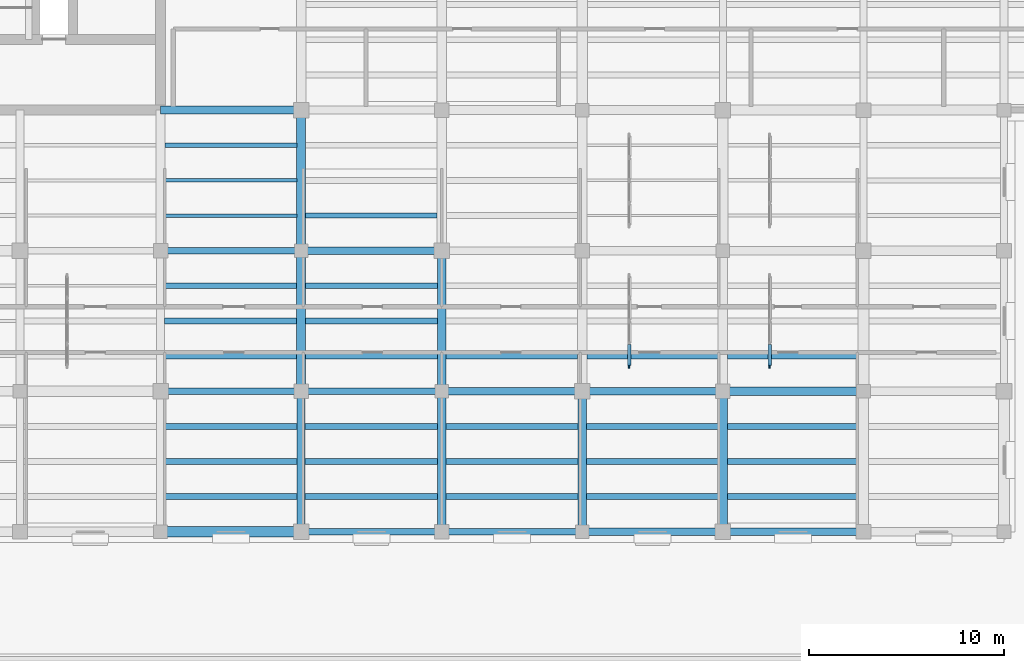
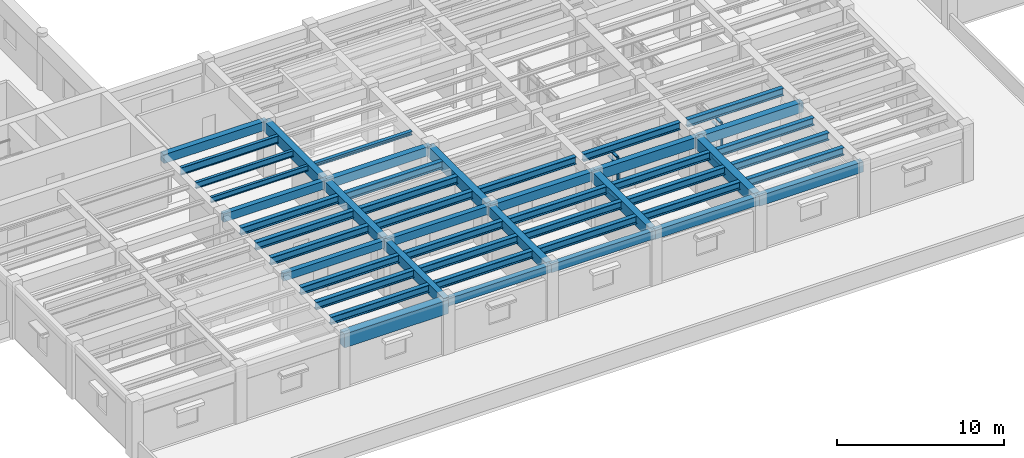
# One storey, part 9 of 76: 48 beams, 10 members, 2 elements without a shape of their own.
"""IFC4 building model written with IfcOpenShell, lengths in metres."""

from ifc_helpers import new_model, si_unit, direction, frame, origin, origin_2d, place, context, subcontext, project, spatial, rectangle, i_section, extrude, material, material_profile, profile_set, type_object, element, aggregate, save


model = new_model("IFC4")

# Units and contexts
model_context = context("Model", 3, precision=1e-05, world=origin(), true_north=direction((0.0, 1.0)))
body_context = subcontext(model_context, "Body", "Model", "MODEL_VIEW")
ifc_project = project(units=[si_unit("LENGTHUNIT", "METRE"), si_unit("AREAUNIT", "SQUARE_METRE"), si_unit("VOLUMEUNIT", "CUBIC_METRE"), si_unit("PLANEANGLEUNIT", "RADIAN"), si_unit("MASSUNIT", "GRAM", prefix="KILO")], contexts=[model_context])

# Site, building, storey
site_placement = place(None, origin())
site = spatial("IfcSite", under=ifc_project, at=site_placement, CompositionType="ELEMENT")
building_placement = place(site_placement, origin())
building = spatial("IfcBuilding", under=site, at=building_placement, Name="Mithqara Police Headquarters", CompositionType="ELEMENT")
storey_placement = place(building_placement, frame((0.0, 0.0, 5.39990234375)))
storey = spatial("IfcBuildingStorey", under=building, at=storey_placement, Name="L01", CompositionType="ELEMENT", Elevation=5.39990234375)

# Beams
ifc_material_1 = material(Name="Steel S355JR", Category="steel")
ifc_material_profile_1 = material_profile(ifc_material_1, i_section(OverallWidth=0.300048828125, OverallDepth=0.550048828125, WebThickness=0.014892578125, FlangeThickness=0.029052734375, FilletRadius=0.027099609375, at=origin_2d()), Name="HEB 550")
ifc_profile_set_1 = profile_set([ifc_material_profile_1], Name="Steel S355JR")
beam_type_1 = type_object("IfcBeamType", Name="BEAM HEB550", PredefinedType="BEAM", material=ifc_profile_set_1)
for number, where, z_axis, x_axis, name in (
    (1, (94.39990234375, 8.39990234375, 3.64501953125), (1.0, 0.0, 0.0), (0.0, 1.0, 0.0), "L01 Composite Steel Joist 14-15/B.1"),
    (2, (94.39990234375, 10.199951171875, 3.64501953125), (1.0, 0.0, 0.0), (0.0, 1.0, 0.0), "L01 Composite Steel Joist 14-15/B.2"),
    (3, (94.39990234375, 12.0, 3.64501953125), (1.0, 0.0, 0.0), (0.0, 1.0, 0.0), "L01 Composite Steel Joist 14-15/B.3"),
):
    element("IfcBeam", number, at=place(storey_placement, frame(where, z_axis=z_axis, x_axis=x_axis)), inside=storey, type_object=beam_type_1, Name=name, PredefinedType="BEAM", context=body_context, shape_type="SweptSolid", body=[
        extrude(i_section(OverallWidth=0.300048828125, OverallDepth=0.550048828125, WebThickness=0.014892578125, FlangeThickness=0.029052734375, FilletRadius=0.027099609375, at=origin_2d()), origin(), (0.0, 0.0, 1.0), 6.800048828125),
    ])
for number, where, z_axis, x_axis, name in (
    (4, (94.39990234375, 15.60009765625, 3.64501953125), (1.0, 0.0, 0.0), (0.0, 1.0, 0.0), "L01 Composite Steel Joist 14-15/C.1"),
    (5, (94.39990234375, 17.39990234375, 3.64501953125), (1.0, 0.0, 0.0), (0.0, 1.0, 0.0), "L01 Composite Steel Joist 14-15/C.2"),
    (6, (94.39990234375, 19.199951171875, 3.64501953125), (1.0, 0.0, 0.0), (0.0, 1.0, 0.0), "L01 Composite Steel Joist 14-15/C.3"),
):
    element("IfcBeam", number, at=place(storey_placement, frame(where, z_axis=z_axis, x_axis=x_axis)), inside=storey, type_object=beam_type_1, Name=name, PredefinedType="BEAM", context=body_context, shape_type="SweptSolid", body=[
        extrude(i_section(OverallWidth=0.300048828125, OverallDepth=0.550048828125, WebThickness=0.014892578125, FlangeThickness=0.029052734375, FilletRadius=0.027099609375, at=origin_2d()), origin(), (0.0, 0.0, 1.0), 6.775146484375),
    ])
for number, where, z_axis, x_axis, name in (
    (7, (101.60009765625, 8.39990234375, 3.64501953125), (1.0, 0.0, 0.0), (0.0, 1.0, 0.0), "L01 Composite Steel Joist 15-16/B.1"),
    (8, (101.60009765625, 10.199951171875, 3.64501953125), (1.0, 0.0, 0.0), (0.0, 1.0, 0.0), "L01 Composite Steel Joist 15-16/B.2"),
    (9, (101.60009765625, 12.0, 3.64501953125), (1.0, 0.0, 0.0), (0.0, 1.0, 0.0), "L01 Composite Steel Joist 15-16/B.3"),
):
    element("IfcBeam", number, at=place(storey_placement, frame(where, z_axis=z_axis, x_axis=x_axis)), inside=storey, type_object=beam_type_1, Name=name, PredefinedType="BEAM", context=body_context, shape_type="SweptSolid", body=[
        extrude(i_section(OverallWidth=0.300048828125, OverallDepth=0.550048828125, WebThickness=0.014892578125, FlangeThickness=0.029052734375, FilletRadius=0.027099609375, at=origin_2d()), origin(), (0.0, 0.0, 1.0), 6.77490234375),
    ])
for number, where, z_axis, x_axis, name in (
    (10, (101.625, 15.60009765625, 3.64501953125), (1.0, 0.0, 0.0), (0.0, 1.0, 0.0), "L01 Composite Steel Joist 15-16/C.1"),
    (11, (101.625, 17.39990234375, 3.64501953125), (1.0, 0.0, 0.0), (0.0, 1.0, 0.0), "L01 Composite Steel Joist 15-16/C.2"),
    (12, (101.625, 19.199951171875, 3.64501953125), (1.0, 0.0, 0.0), (0.0, 1.0, 0.0), "L01 Composite Steel Joist 15-16/C.3"),
    (13, (108.824951171875, 8.39990234375, 3.64501953125), (1.0, 0.0, 0.0), (0.0, 1.0, 0.0), "L01 Composite Steel Joist 16-17/B.1"),
    (14, (108.824951171875, 10.199951171875, 3.64501953125), (1.0, 0.0, 0.0), (0.0, 1.0, 0.0), "L01 Composite Steel Joist 16-17/B.2"),
    (15, (108.824951171875, 12.0, 3.64501953125), (1.0, 0.0, 0.0), (0.0, 1.0, 0.0), "L01 Composite Steel Joist 16-17/B.3"),
):
    element("IfcBeam", number, at=place(storey_placement, frame(where, z_axis=z_axis, x_axis=x_axis)), inside=storey, type_object=beam_type_1, Name=name, PredefinedType="BEAM", context=body_context, shape_type="SweptSolid", body=[
        extrude(i_section(OverallWidth=0.300048828125, OverallDepth=0.550048828125, WebThickness=0.014892578125, FlangeThickness=0.029052734375, FilletRadius=0.027099609375, at=origin_2d()), origin(), (0.0, 0.0, 1.0), 6.75),
    ])
for number, where, z_axis, x_axis, name in (
    (16, (108.824951171875, 15.60009765625, 3.64501953125), (1.0, 0.0, 0.0), (0.0, 1.0, 0.0), "L01 Composite Steel Joist 16-17/C.1"),
    (17, (116.02490234375, 8.39990234375, 3.64501953125), (1.0, 0.0, 0.0), (0.0, 1.0, 0.0), "L01 Composite Steel Joist 17-18/B.1"),
    (18, (116.02490234375, 10.199951171875, 3.64501953125), (1.0, 0.0, 0.0), (0.0, 1.0, 0.0), "L01 Composite Steel Joist 17-18/B.2"),
    (19, (116.02490234375, 12.0, 3.64501953125), (1.0, 0.0, 0.0), (0.0, 1.0, 0.0), "L01 Composite Steel Joist 17-18/B.3"),
):
    element("IfcBeam", number, at=place(storey_placement, frame(where, z_axis=z_axis, x_axis=x_axis)), inside=storey, type_object=beam_type_1, Name=name, PredefinedType="BEAM", context=body_context, shape_type="SweptSolid", body=[
        extrude(i_section(OverallWidth=0.300048828125, OverallDepth=0.550048828125, WebThickness=0.014892578125, FlangeThickness=0.029052734375, FilletRadius=0.027099609375, at=origin_2d()), origin(), (0.0, 0.0, 1.0), 6.72509765625),
    ])
for number, where, z_axis, x_axis, name in (
    (20, (116.050048828125, 15.60009765625, 3.64501953125), (1.0, 0.0, 0.0), (0.0, 1.0, 0.0), "L01 Composite Steel Joist 17-18/C.1"),
    (21, (123.25, 8.39990234375, 3.64501953125), (1.0, 0.0, 0.0), (0.0, 1.0, 0.0), "L01 Composite Steel Joist 18-19/B.1"),
    (22, (123.25, 10.199951171875, 3.64501953125), (1.0, 0.0, 0.0), (0.0, 1.0, 0.0), "L01 Composite Steel Joist 18-19/B.2"),
    (23, (123.25, 12.0, 3.64501953125), (1.0, 0.0, 0.0), (0.0, 1.0, 0.0), "L01 Composite Steel Joist 18-19/B.3"),
):
    element("IfcBeam", number, at=place(storey_placement, frame(where, z_axis=z_axis, x_axis=x_axis)), inside=storey, type_object=beam_type_1, Name=name, PredefinedType="BEAM", context=body_context, shape_type="SweptSolid", body=[
        extrude(i_section(OverallWidth=0.300048828125, OverallDepth=0.550048828125, WebThickness=0.014892578125, FlangeThickness=0.029052734375, FilletRadius=0.027099609375, at=origin_2d()), origin(), (0.0, 0.0, 1.0), 6.699951171875),
    ])
beam_1_placement = place(storey_placement, frame((123.25, 15.60009765625, 3.64501953125), z_axis=(1.0, 0.0, 0.0), x_axis=(0.0, 1.0, 0.0)))
element("IfcBeam", 24, at=beam_1_placement, inside=storey, type_object=beam_type_1, Name="L01 Composite Steel Joist 18-19/C.1", PredefinedType="BEAM", context=body_context, shape_type="SweptSolid", body=[
    extrude(i_section(OverallWidth=0.300048828125, OverallDepth=0.550048828125, WebThickness=0.014892578125, FlangeThickness=0.029052734375, FilletRadius=0.027099609375, at=origin_2d()), origin(), (0.0, 0.0, 1.0), 6.675048828125),
])
ifc_material_2 = material(Name="Concrete C40/50", Category="concrete")
ifc_material_profile_2 = material_profile(ifc_material_2, rectangle(XDim=0.35009765625, YDim=0.550048828125, at=origin_2d()), Name="RC 350x550")
ifc_profile_set_2 = profile_set([ifc_material_profile_2], Name="Concrete C40/50")
beam_type_2 = type_object("IfcBeamType", Name="BEAM RC350X550", PredefinedType="BEAM", material=ifc_profile_set_2)
beam_2_placement = place(storey_placement, frame((94.199951171875, 13.800048828125, 3.64501953125), z_axis=(1.0, 0.0, 0.0), x_axis=(0.0, 1.0, 0.0)))
element("IfcBeam", 25, at=beam_2_placement, inside=storey, type_object=beam_type_2, Name="L01 Girder 14-15/C", PredefinedType="BEAM", context=body_context, shape_type="SweptSolid", body=[
    extrude(rectangle(XDim=0.35009765625, YDim=0.550048828125, at=origin_2d()), origin(), (0.0, 0.0, 1.0), 7.199951171875),
])
beam_3_placement = place(storey_placement, frame((101.39990234375, 6.60009765625, 3.64501953125), z_axis=(1.0, 0.0, 0.0), x_axis=(0.0, 1.0, 0.0)))
element("IfcBeam", 26, at=beam_3_placement, inside=storey, type_object=beam_type_2, Name="L01 Girder 15-16/B", PredefinedType="BEAM", context=body_context, shape_type="SweptSolid", body=[
    extrude(rectangle(XDim=0.35009765625, YDim=0.550048828125, at=origin_2d()), origin(), (0.0, 0.0, 1.0), 7.2001953125),
])
ifc_material_profile_3 = material_profile(ifc_material_2, rectangle(XDim=0.35009765625, YDim=0.60009765625, at=origin_2d()), Name="RC 350x600")
ifc_profile_set_3 = profile_set([ifc_material_profile_3], Name="Concrete C40/50")
beam_type_3 = type_object("IfcBeamType", Name="BEAM RC350X600", PredefinedType="BEAM", material=ifc_profile_set_3)
beam_4_placement = place(storey_placement, frame((94.199951171875, 21.0, 3.6201171875), z_axis=(1.0, 0.0, 0.0), x_axis=(0.0, 1.0, 0.0)))
element("IfcBeam", 27, at=beam_4_placement, inside=storey, type_object=beam_type_3, Name="L01 Girder 14-15/D", PredefinedType="BEAM", context=body_context, shape_type="SweptSolid", body=[
    extrude(rectangle(XDim=0.35009765625, YDim=0.60009765625, at=origin_2d()), origin(), (0.0, 0.0, 1.0), 7.199951171875),
])
beam_5_placement = place(storey_placement, frame((101.39990234375, 13.800048828125, 3.6201171875), z_axis=(1.0, 0.0, 0.0), x_axis=(0.0, 1.0, 0.0)))
element("IfcBeam", 28, at=beam_5_placement, inside=storey, type_object=beam_type_3, Name="L01 Girder 15-16/C", PredefinedType="BEAM", context=body_context, shape_type="SweptSolid", body=[
    extrude(rectangle(XDim=0.35009765625, YDim=0.60009765625, at=origin_2d()), origin(), (0.0, 0.0, 1.0), 7.2001953125),
])
beam_6_placement = place(storey_placement, frame((108.60009765625, 6.60009765625, 3.6201171875), z_axis=(1.0, 0.0, 0.0), x_axis=(0.0, 1.0, 0.0)))
element("IfcBeam", 29, at=beam_6_placement, inside=storey, type_object=beam_type_3, Name="L01 Girder 16-17/B", PredefinedType="BEAM", context=body_context, shape_type="SweptSolid", body=[
    extrude(rectangle(XDim=0.35009765625, YDim=0.60009765625, at=origin_2d()), origin(), (0.0, 0.0, 1.0), 7.199951171875),
])
ifc_material_profile_4 = material_profile(ifc_material_2, rectangle(XDim=0.39990234375, YDim=0.64990234375, at=origin_2d()), Name="RC 400x650")
ifc_profile_set_4 = profile_set([ifc_material_profile_4], Name="Concrete C40/50")
beam_type_4 = type_object("IfcBeamType", Name="BEAM RC400X650", PredefinedType="BEAM", material=ifc_profile_set_4)
beam_7_placement = place(storey_placement, frame((94.199951171875, 28.199951171875, 3.59521484375), z_axis=(1.0, 0.0, 0.0), x_axis=(0.0, 1.0, 0.0)))
element("IfcBeam", 30, at=beam_7_placement, inside=storey, type_object=beam_type_4, Name="L01 Girder 14-15/E", PredefinedType="BEAM", context=body_context, shape_type="SweptSolid", body=[
    extrude(rectangle(XDim=0.39990234375, YDim=0.64990234375, at=origin_2d()), origin(), (0.0, 0.0, 1.0), 7.199951171875),
])
beam_8_placement = place(storey_placement, frame((101.39990234375, 21.0, 3.59521484375), z_axis=(1.0, 0.0, 0.0), x_axis=(0.0, 1.0, 0.0)))
element("IfcBeam", 31, at=beam_8_placement, inside=storey, type_object=beam_type_4, Name="L01 Girder 15-16/D", PredefinedType="BEAM", context=body_context, shape_type="SweptSolid", body=[
    extrude(rectangle(XDim=0.39990234375, YDim=0.64990234375, at=origin_2d()), origin(), (0.0, 0.0, 1.0), 7.2001953125),
])
for number, where, z_axis, x_axis, name in (
    (32, (108.60009765625, 13.800048828125, 3.59521484375), (1.0, 0.0, 0.0), (0.0, 1.0, 0.0), "L01 Girder 16-17/C"),
    (33, (115.800048828125, 6.60009765625, 3.59521484375), (1.0, 0.0, 0.0), (0.0, 1.0, 0.0), "L01 Girder 17-18/B"),
):
    element("IfcBeam", number, at=place(storey_placement, frame(where, z_axis=z_axis, x_axis=x_axis)), inside=storey, type_object=beam_type_4, Name=name, PredefinedType="BEAM", context=body_context, shape_type="SweptSolid", body=[
        extrude(rectangle(XDim=0.39990234375, YDim=0.64990234375, at=origin_2d()), origin(), (0.0, 0.0, 1.0), 7.199951171875),
    ])
ifc_material_profile_5 = material_profile(ifc_material_2, rectangle(XDim=0.39990234375, YDim=0.75, at=origin_2d()), Name="RC 400x750")
ifc_profile_set_5 = profile_set([ifc_material_profile_5], Name="Concrete C40/50")
beam_type_5 = type_object("IfcBeamType", Name="BEAM RC400X750", PredefinedType="BEAM", material=ifc_profile_set_5)
for number, where, z_axis, x_axis, name in (
    (34, (101.39990234375, 6.60009765625, 3.545166015625), (0.0, 1.0, 0.0), (-1.0, 0.0, 0.0), "L01 Girder 15/B-C"),
    (35, (115.800048828125, 13.800048828125, 3.545166015625), (1.0, 0.0, 0.0), (0.0, 1.0, 0.0), "L01 Girder 17-18/C"),
    (36, (123.0, 6.60009765625, 3.545166015625), (1.0, 0.0, 0.0), (0.0, 1.0, 0.0), "L01 Girder 18-19/B"),
):
    element("IfcBeam", number, at=place(storey_placement, frame(where, z_axis=z_axis, x_axis=x_axis)), inside=storey, type_object=beam_type_5, Name=name, PredefinedType="BEAM", context=body_context, shape_type="SweptSolid", body=[
        extrude(rectangle(XDim=0.39990234375, YDim=0.75, at=origin_2d()), origin(), (0.0, 0.0, 1.0), 7.199951171875),
    ])
ifc_material_profile_6 = material_profile(ifc_material_2, rectangle(XDim=0.449951171875, YDim=0.699951171875, at=origin_2d()), Name="RC 450x700")
ifc_profile_set_6 = profile_set([ifc_material_profile_6], Name="Concrete C40/50")
beam_type_6 = type_object("IfcBeamType", Name="BEAM RC450X700", PredefinedType="BEAM", material=ifc_profile_set_6)
for number, where, z_axis, x_axis, name in (
    (37, (101.39990234375, 13.800048828125, 3.570068359375), (0.0, 1.0, 0.0), (-1.0, 0.0, 0.0), "L01 Girder 15/C-D"),
    (38, (108.60009765625, 6.60009765625, 3.570068359375), (0.0, 1.0, 0.0), (-1.0, 0.0, 0.0), "L01 Girder 16/B-C"),
    (39, (123.0, 13.800048828125, 3.570068359375), (1.0, 0.0, 0.0), (0.0, 1.0, 0.0), "L01 Girder 18-19/C"),
):
    element("IfcBeam", number, at=place(storey_placement, frame(where, z_axis=z_axis, x_axis=x_axis)), inside=storey, type_object=beam_type_6, Name=name, PredefinedType="BEAM", context=body_context, shape_type="SweptSolid", body=[
        extrude(rectangle(XDim=0.449951171875, YDim=0.699951171875, at=origin_2d()), origin(), (0.0, 0.0, 1.0), 7.199951171875),
    ])
ifc_material_profile_7 = material_profile(ifc_material_2, rectangle(XDim=0.449951171875, YDim=0.800048828125, at=origin_2d()), Name="RC 450x800")
ifc_profile_set_7 = profile_set([ifc_material_profile_7], Name="Concrete C40/50")
beam_type_7 = type_object("IfcBeamType", Name="BEAM RC450X800", PredefinedType="BEAM", material=ifc_profile_set_7)
for number, where, z_axis, x_axis, name in (
    (40, (101.39990234375, 21.0, 3.52001953125), (0.0, 1.0, 0.0), (-1.0, 0.0, 0.0), "L01 Girder 15/D-E"),
    (41, (108.60009765625, 13.800048828125, 3.52001953125), (0.0, 1.0, 0.0), (-1.0, 0.0, 0.0), "L01 Girder 16/C-D"),
    (42, (115.800048828125, 6.60009765625, 3.52001953125), (0.0, 1.0, 0.0), (-1.0, 0.0, 0.0), "L01 Girder 17/B-C"),
):
    element("IfcBeam", number, at=place(storey_placement, frame(where, z_axis=z_axis, x_axis=x_axis)), inside=storey, type_object=beam_type_7, Name=name, PredefinedType="BEAM", context=body_context, shape_type="SweptSolid", body=[
        extrude(rectangle(XDim=0.449951171875, YDim=0.800048828125, at=origin_2d()), origin(), (0.0, 0.0, 1.0), 7.199951171875),
    ])
ifc_material_profile_8 = material_profile(ifc_material_2, rectangle(XDim=0.5, YDim=0.85009765625, at=origin_2d()), Name="RC 500x850")
ifc_profile_set_8 = profile_set([ifc_material_profile_8], Name="Concrete C40/50")
beam_type_8 = type_object("IfcBeamType", Name="BEAM RC500X850", PredefinedType="BEAM", material=ifc_profile_set_8)
beam_9_placement = place(storey_placement, frame((123.0, 6.60009765625, 3.4951171875), z_axis=(0.0, 1.0, 0.0), x_axis=(-1.0, 0.0, 0.0)))
element("IfcBeam", 43, at=beam_9_placement, inside=storey, type_object=beam_type_8, Name="L01 Girder 18/B-C", PredefinedType="BEAM", context=body_context, shape_type="SweptSolid", body=[
    extrude(rectangle(XDim=0.5, YDim=0.85009765625, at=origin_2d()), origin(), (0.0, 0.0, 1.0), 7.199951171875),
])
ifc_material_3 = material(Name="Concrete C50/60", Category="concrete")
ifc_material_profile_9 = material_profile(ifc_material_3, rectangle(XDim=0.550048828125, YDim=1.0, at=origin_2d()), Name="RC 550x1000")
ifc_profile_set_9 = profile_set([ifc_material_profile_9], Name="Concrete C50/60")
beam_type_9 = type_object("IfcBeamType", Name="BEAM RC550X1000", PredefinedType="BEAM", material=ifc_profile_set_9)
beam_10_placement = place(storey_placement, frame((94.199951171875, 6.60009765625, 3.420166015625), z_axis=(1.0, 0.0, 0.0), x_axis=(0.0, 1.0, 0.0)))
element("IfcBeam", 44, at=beam_10_placement, inside=storey, type_object=beam_type_9, Name="L01 Girder 14-15/B", PredefinedType="BEAM", context=body_context, shape_type="SweptSolid", body=[
    extrude(rectangle(XDim=0.550048828125, YDim=1.0, at=origin_2d()), origin(), (0.0, 0.0, 1.0), 7.199951171875),
])

# Curtain wall, member
ifc_material_4 = material(Name="Bronze anodised aluminium 6063-T6", Category="aluminium")
curtain_wall_type = type_object("IfcCurtainWallType", Name="CURTAIN WALL 4700X3200", PredefinedType="USERDEFINED", material=ifc_material_4)
curtain_wall_1_placement = place(storey_placement, origin())
curtain_wall_1 = element("IfcCurtainWall", 45, at=curtain_wall_1_placement, inside=storey, type_object=curtain_wall_type, Name="L01 Unitised Glazing CW-15 (CW-INT-L01-X16-Y02-0)", ObjectType="UNITISED GLAZING", PredefinedType="USERDEFINED")
ifc_material_profile_10 = material_profile(ifc_material_4, rectangle(XDim=0.074951171875, YDim=0.219970703125, at=origin_2d()), Name="CWM 75x220")
ifc_profile_set_10 = profile_set([ifc_material_profile_10], Name="Bronze anodised aluminium 6063-T6")
member_type_1 = type_object("IfcMemberType", Name="CWMULLION 75X220", PredefinedType="MULLION", material=ifc_profile_set_10)
member_1_placement = place(storey_placement, frame((118.199951171875, 15.08740234375, 0.0), z_axis=(0.0, 0.0, 1.0), x_axis=(-1.0, 0.0, 0.0)))
member_1 = element("IfcMember", 46, at=member_1_placement, type_object=member_type_1, Name="CW-15 mullion 1", PredefinedType="MULLION", context=body_context, shape_type="SweptSolid", body=[
    extrude(rectangle(XDim=0.074951171875, YDim=0.219970703125, at=origin_2d()), origin(), (0.0, 0.0, 1.0), 3.2001953125),
])

curtain_wall_2_placement = place(storey_placement, origin())
curtain_wall_2 = element("IfcCurtainWall", 47, at=curtain_wall_2_placement, inside=storey, type_object=curtain_wall_type, Name="L01 Unitised Glazing CW-15 (CW-INT-L01-X17-Y02-0)", ObjectType="UNITISED GLAZING", PredefinedType="USERDEFINED")
member_2_placement = place(storey_placement, frame((125.39990234375, 15.08740234375, 0.0), z_axis=(0.0, 0.0, 1.0), x_axis=(-1.0, 0.0, 0.0)))
member_2 = element("IfcMember", 48, at=member_2_placement, type_object=member_type_1, Name="CW-15 mullion 1", PredefinedType="MULLION", context=body_context, shape_type="SweptSolid", body=[
    extrude(rectangle(XDim=0.074951171875, YDim=0.219970703125, at=origin_2d()), origin(), (0.0, 0.0, 1.0), 3.2001953125),
])

# Member
ifc_material_profile_11 = material_profile(ifc_material_4, rectangle(XDim=0.179931640625, YDim=0.074951171875, at=origin_2d()), Name="CWT 180x75")
ifc_profile_set_11 = profile_set([ifc_material_profile_11], Name="Bronze anodised aluminium 6063-T6")
member_type_2 = type_object("IfcMemberType", Name="CWTRANSOM 180X75", PredefinedType="USERDEFINED", material=ifc_profile_set_11)
member_3_placement = place(storey_placement, frame((118.199951171875, 15.125, 0.03759765625), z_axis=(0.0, 1.0, 0.0), x_axis=(-1.0, 0.0, 0.0)))
member_3 = element("IfcMember", 49, at=member_3_placement, type_object=member_type_2, Name="CW-15 transom 1.1", ObjectType="TRANSOM", PredefinedType="USERDEFINED", context=body_context, shape_type="SweptSolid", body=[
    extrude(rectangle(XDim=0.179931640625, YDim=0.074951171875, at=origin_2d()), origin(), (0.0, 0.0, 1.0), 1.0625),
])

member_4_placement = place(storey_placement, frame((118.199951171875, 15.125, 0.900146484375), z_axis=(0.0, 1.0, 0.0), x_axis=(-1.0, 0.0, 0.0)))
member_4 = element("IfcMember", 50, at=member_4_placement, type_object=member_type_2, Name="CW-15 transom 1.2", ObjectType="TRANSOM", PredefinedType="USERDEFINED", context=body_context, shape_type="SweptSolid", body=[
    extrude(rectangle(XDim=0.179931640625, YDim=0.074951171875, at=origin_2d()), origin(), (0.0, 0.0, 1.0), 1.0625),
])

member_5_placement = place(storey_placement, frame((118.199951171875, 15.125, 2.650146484375), z_axis=(0.0, 1.0, 0.0), x_axis=(-1.0, 0.0, 0.0)))
member_5 = element("IfcMember", 51, at=member_5_placement, type_object=member_type_2, Name="CW-15 transom 1.3", ObjectType="TRANSOM", PredefinedType="USERDEFINED", context=body_context, shape_type="SweptSolid", body=[
    extrude(rectangle(XDim=0.179931640625, YDim=0.074951171875, at=origin_2d()), origin(), (0.0, 0.0, 1.0), 1.0625),
])

member_6_placement = place(storey_placement, frame((118.199951171875, 15.125, 3.16259765625), z_axis=(0.0, 1.0, 0.0), x_axis=(-1.0, 0.0, 0.0)))
member_6 = element("IfcMember", 52, at=member_6_placement, type_object=member_type_2, Name="CW-15 transom 1.4", ObjectType="TRANSOM", PredefinedType="USERDEFINED", context=body_context, shape_type="SweptSolid", body=[
    extrude(rectangle(XDim=0.179931640625, YDim=0.074951171875, at=origin_2d()), origin(), (0.0, 0.0, 1.0), 1.0625),
])

aggregate(curtain_wall_1, [member_1, member_3, member_4, member_5, member_6])

member_7_placement = place(storey_placement, frame((125.39990234375, 15.125, 0.03759765625), z_axis=(0.0, 1.0, 0.0), x_axis=(-1.0, 0.0, 0.0)))
member_7 = element("IfcMember", 53, at=member_7_placement, type_object=member_type_2, Name="CW-15 transom 1.1", ObjectType="TRANSOM", PredefinedType="USERDEFINED", context=body_context, shape_type="SweptSolid", body=[
    extrude(rectangle(XDim=0.179931640625, YDim=0.074951171875, at=origin_2d()), origin(), (0.0, 0.0, 1.0), 1.0625),
])

member_8_placement = place(storey_placement, frame((125.39990234375, 15.125, 0.900146484375), z_axis=(0.0, 1.0, 0.0), x_axis=(-1.0, 0.0, 0.0)))
member_8 = element("IfcMember", 54, at=member_8_placement, type_object=member_type_2, Name="CW-15 transom 1.2", ObjectType="TRANSOM", PredefinedType="USERDEFINED", context=body_context, shape_type="SweptSolid", body=[
    extrude(rectangle(XDim=0.179931640625, YDim=0.074951171875, at=origin_2d()), origin(), (0.0, 0.0, 1.0), 1.0625),
])

member_9_placement = place(storey_placement, frame((125.39990234375, 15.125, 2.650146484375), z_axis=(0.0, 1.0, 0.0), x_axis=(-1.0, 0.0, 0.0)))
member_9 = element("IfcMember", 55, at=member_9_placement, type_object=member_type_2, Name="CW-15 transom 1.3", ObjectType="TRANSOM", PredefinedType="USERDEFINED", context=body_context, shape_type="SweptSolid", body=[
    extrude(rectangle(XDim=0.179931640625, YDim=0.074951171875, at=origin_2d()), origin(), (0.0, 0.0, 1.0), 1.0625),
])

member_10_placement = place(storey_placement, frame((125.39990234375, 15.125, 3.16259765625), z_axis=(0.0, 1.0, 0.0), x_axis=(-1.0, 0.0, 0.0)))
member_10 = element("IfcMember", 56, at=member_10_placement, type_object=member_type_2, Name="CW-15 transom 1.4", ObjectType="TRANSOM", PredefinedType="USERDEFINED", context=body_context, shape_type="SweptSolid", body=[
    extrude(rectangle(XDim=0.179931640625, YDim=0.074951171875, at=origin_2d()), origin(), (0.0, 0.0, 1.0), 1.0625),
])

aggregate(curtain_wall_2, [member_2, member_7, member_8, member_9, member_10])

# Beams
ifc_material_profile_12 = material_profile(ifc_material_1, i_section(OverallWidth=0.260009765625, OverallDepth=0.25, WebThickness=0.007568359375, FlangeThickness=0.012451171875, FilletRadius=0.02392578125, at=origin_2d()), Name="HEA 260")
ifc_profile_set_12 = profile_set([ifc_material_profile_12], Name="Steel S355JR")
beam_type_10 = type_object("IfcBeamType", Name="JOIST HEA260", PredefinedType="JOIST", material=ifc_profile_set_12)
beam_11_placement = place(storey_placement, frame((101.625, 22.800048828125, 3.795166015625), z_axis=(1.0, 0.0, 0.0), x_axis=(0.0, 1.0, 0.0)))
element("IfcBeam", 57, at=beam_11_placement, inside=storey, type_object=beam_type_10, Name="L01 Composite Steel Joist 15-16/D.1", PredefinedType="JOIST", context=body_context, shape_type="SweptSolid", body=[
    extrude(i_section(OverallWidth=0.260009765625, OverallDepth=0.25, WebThickness=0.007568359375, FlangeThickness=0.012451171875, FilletRadius=0.02392578125, at=origin_2d()), origin(), (0.0, 0.0, 1.0), 6.72509765625),
])
ifc_material_profile_13 = material_profile(ifc_material_1, i_section(OverallWidth=0.179931640625, OverallDepth=0.39990234375, WebThickness=0.008544921875, FlangeThickness=0.013427734375, FilletRadius=0.02099609375, at=origin_2d()), Name="IPE 400")
ifc_profile_set_13 = profile_set([ifc_material_profile_13], Name="Steel S355JR")
beam_type_11 = type_object("IfcBeamType", Name="JOIST IPE400", PredefinedType="JOIST", material=ifc_profile_set_13)
beam_12_placement = place(storey_placement, frame((94.425048828125, 22.800048828125, 3.72021484375), z_axis=(1.0, 0.0, 0.0), x_axis=(0.0, 1.0, 0.0)))
element("IfcBeam", 58, at=beam_12_placement, inside=storey, type_object=beam_type_11, Name="L01 Composite Steel Joist 14-15/D.1", PredefinedType="JOIST", context=body_context, shape_type="SweptSolid", body=[
    extrude(i_section(OverallWidth=0.179931640625, OverallDepth=0.39990234375, WebThickness=0.008544921875, FlangeThickness=0.013427734375, FilletRadius=0.02099609375, at=origin_2d()), origin(), (0.0, 0.0, 1.0), 6.75),
])
ifc_material_profile_14 = material_profile(ifc_material_1, i_section(OverallWidth=0.18994140625, OverallDepth=0.449951171875, WebThickness=0.009521484375, FlangeThickness=0.0146484375, FilletRadius=0.02099609375, at=origin_2d()), Name="IPE 450")
ifc_profile_set_14 = profile_set([ifc_material_profile_14], Name="Steel S355JR")
beam_type_12 = type_object("IfcBeamType", Name="JOIST IPE450", PredefinedType="JOIST", material=ifc_profile_set_14)
beam_13_placement = place(storey_placement, frame((94.425048828125, 24.60009765625, 3.695068359375), z_axis=(1.0, 0.0, 0.0), x_axis=(0.0, 1.0, 0.0)))
element("IfcBeam", 59, at=beam_13_placement, inside=storey, type_object=beam_type_12, Name="L01 Composite Steel Joist 14-15/D.2", PredefinedType="JOIST", context=body_context, shape_type="SweptSolid", body=[
    extrude(i_section(OverallWidth=0.18994140625, OverallDepth=0.449951171875, WebThickness=0.009521484375, FlangeThickness=0.0146484375, FilletRadius=0.02099609375, at=origin_2d()), origin(), (0.0, 0.0, 1.0), 6.75),
])
ifc_material_profile_15 = material_profile(ifc_material_1, i_section(OverallWidth=0.2099609375, OverallDepth=0.550048828125, WebThickness=0.010986328125, FlangeThickness=0.01708984375, FilletRadius=0.02392578125, at=origin_2d()), Name="IPE 550")
ifc_profile_set_15 = profile_set([ifc_material_profile_15], Name="Steel S355JR")
beam_type_13 = type_object("IfcBeamType", Name="JOIST IPE550", PredefinedType="JOIST", material=ifc_profile_set_15)
beam_14_placement = place(storey_placement, frame((94.425048828125, 26.39990234375, 3.64501953125), z_axis=(1.0, 0.0, 0.0), x_axis=(0.0, 1.0, 0.0)))
element("IfcBeam", 60, at=beam_14_placement, inside=storey, type_object=beam_type_13, Name="L01 Composite Steel Joist 14-15/D.3", PredefinedType="JOIST", context=body_context, shape_type="SweptSolid", body=[
    extrude(i_section(OverallWidth=0.2099609375, OverallDepth=0.550048828125, WebThickness=0.010986328125, FlangeThickness=0.01708984375, FilletRadius=0.02392578125, at=origin_2d()), origin(), (0.0, 0.0, 1.0), 6.75),
])

save(model, "model.ifc")
